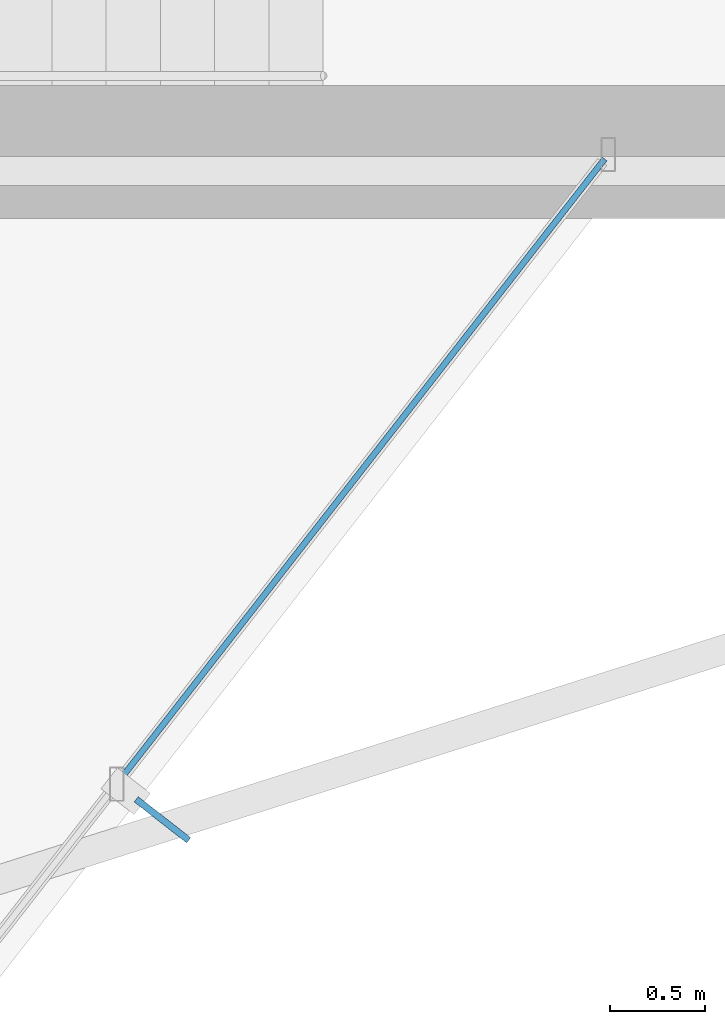
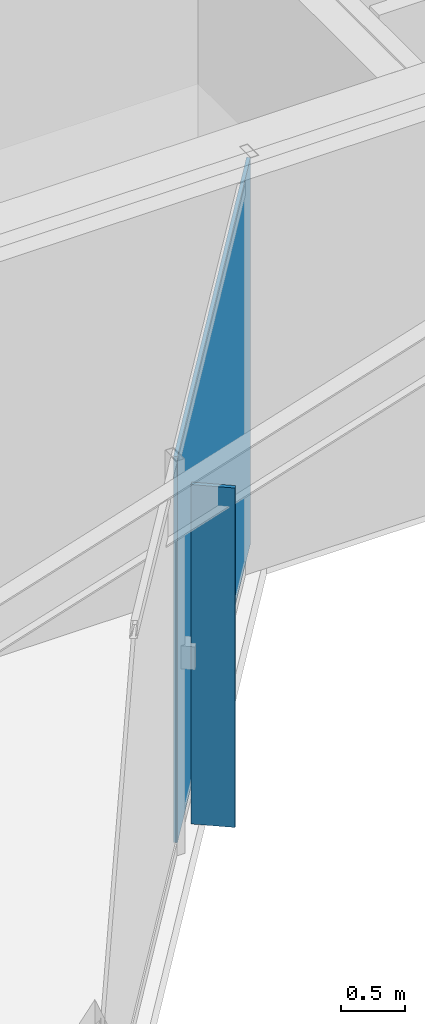
# One storey, part 17 of 21: 2 plates, 1 element without a shape of its own.
"""IFC4 building model written with IfcOpenShell, lengths in metres."""

from ifc_helpers import new_model, si_unit, direction, frame, origin, origin_2d, place, context, subcontext, project, spatial, rectangle, extrude, material, layer, layer_set, type_object, element, aggregate, save


model = new_model("IFC4")

# Units and contexts
model_context = context("Model", 3, precision=1e-05, world=origin(), true_north=direction((0.0, 1.0)))
body_context = subcontext(model_context, "Body", "Model", "MODEL_VIEW")
ifc_project = project(units=[si_unit("LENGTHUNIT", "METRE"), si_unit("AREAUNIT", "SQUARE_METRE"), si_unit("VOLUMEUNIT", "CUBIC_METRE"), si_unit("PLANEANGLEUNIT", "RADIAN"), si_unit("MASSUNIT", "GRAM", prefix="KILO")], contexts=[model_context])

# Site, building, storey
site_placement = place(None, origin())
site = spatial("IfcSite", under=ifc_project, at=site_placement, CompositionType="ELEMENT")
building_placement = place(site_placement, origin())
building = spatial("IfcBuilding", under=site, at=building_placement, Name="Veymaron Broadcast Tower", CompositionType="ELEMENT")
storey_placement = place(building_placement, frame((0.0, 0.0, 244.5)))
storey = spatial("IfcBuildingStorey", under=building, at=storey_placement, Name="L57", CompositionType="ELEMENT", Elevation=244.5)

# Curtain wall, plate
ifc_material_1 = material(Name="Anodised aluminium AA 6063-T6 and laminated low-E dark glass", Category="aluminium")
ifc_layer_1 = layer(ifc_material_1, 0.179931640625)
ifc_layer_set_1 = layer_set([ifc_layer_1], Name="Anodised aluminium AA 6063-T6 and laminated low-E dark glass")
curtain_wall_type = type_object("IfcCurtainWallType", Name="CW-SYS-05", PredefinedType="NOTDEFINED", material=ifc_layer_set_1)
curtain_wall_placement = place(storey_placement, origin())
curtain_wall = element("IfcCurtainWall", 1, at=curtain_wall_placement, inside=storey, type_object=curtain_wall_type, Name="L57 dark-glass curtain wall CW-L57-E20-1", PredefinedType="NOTDEFINED")
ifc_material_2 = material(Name="Double-silver solar-control dark glass IGU 32 mm", Category="glass")
ifc_layer_2 = layer(ifc_material_2, 0.031982421875)
ifc_layer_set_2 = layer_set([ifc_layer_2], Name="Double-silver solar-control dark glass IGU 32 mm")
plate_type_1 = type_object("IfcPlateType", Name="CW-PNL-02", PredefinedType="CURTAIN_PANEL", material=ifc_layer_set_2)
plate_1_placement = place(storey_placement, frame((44.772705078125, 14.430419921875, 0.0400390625), z_axis=(0.0, 0.0, 1.0), x_axis=(0.615290065661, 0.788300789736, 0.0)))
plate_1 = element("IfcPlate", 2, at=plate_1_placement, type_object=plate_type_1, Name="CW-L57-E20-1 unitised curtain panel 1", PredefinedType="CURTAIN_PANEL", context=body_context, shape_type="SweptSolid", body=[
    extrude(rectangle(XDim=4.140869140625, YDim=0.031982421875, at=origin_2d()), origin(), (0.0, 0.0, 1.0), 3.7099609375),
])
aggregate(curtain_wall, [plate_1])

# Plate
ifc_material_3 = material(Name="Dark-anodised aluminium AA 6061-T6", Category="aluminium")
ifc_layer_3 = layer(ifc_material_3, 0.030029296875)
ifc_layer_set_3 = layer_set([ifc_layer_3], Name="Dark-anodised aluminium AA 6061-T6")
plate_type_2 = type_object("IfcPlateType", Name="FIN-CHEV-02", PredefinedType="USERDEFINED", material=ifc_layer_set_3)
plate_2_placement = place(storey_placement, frame((43.720703125, 12.5869140625, 0.26513671875), z_axis=(0.0, 0.0, 1.0), x_axis=(0.788300789736, -0.615290065661, 0.0)))
element("IfcPlate", 3, at=plate_2_placement, inside=storey, type_object=plate_type_2, Name="CW-L57-E20-1 chevron fin 1", ObjectType="FIN", PredefinedType="USERDEFINED", context=body_context, shape_type="SweptSolid", body=[
    extrude(rectangle(XDim=0.35009765625, YDim=0.034912109375, at=origin_2d()), origin(), (0.0, 0.0, 1.0), 3.259521484375),
])

save(model, "model.ifc")
